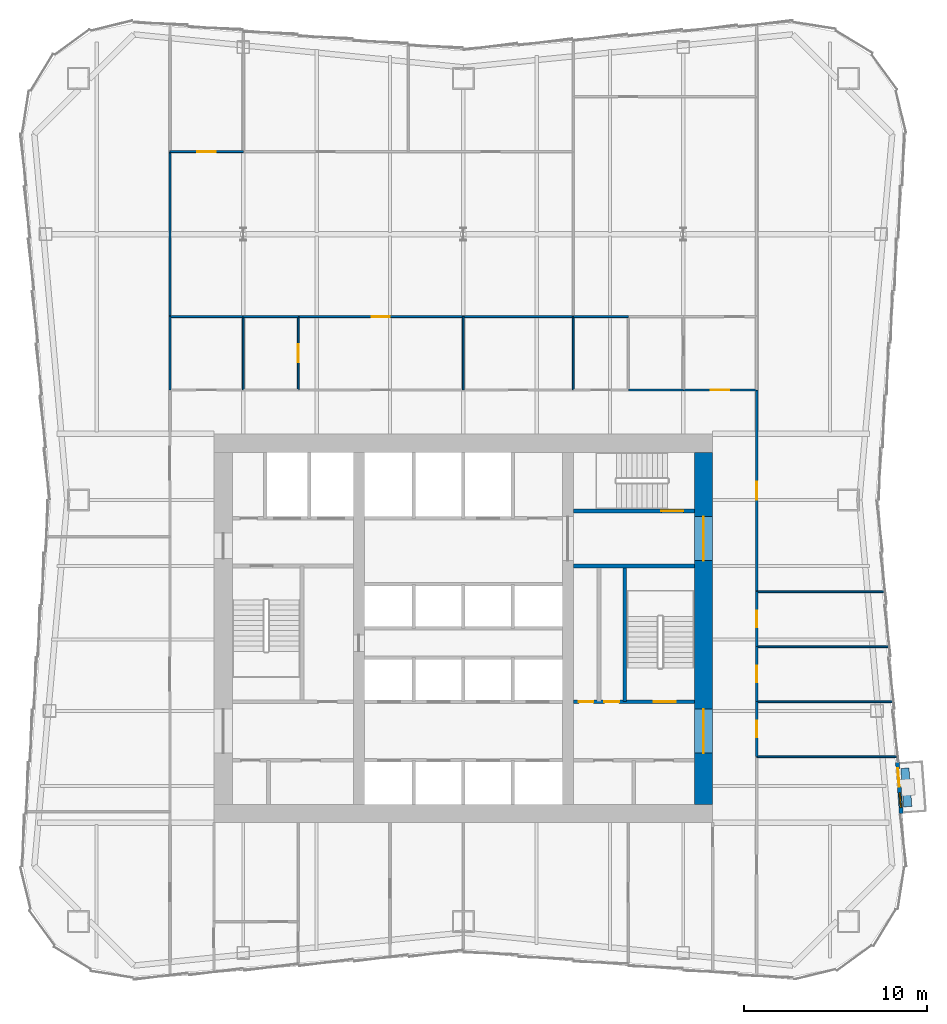
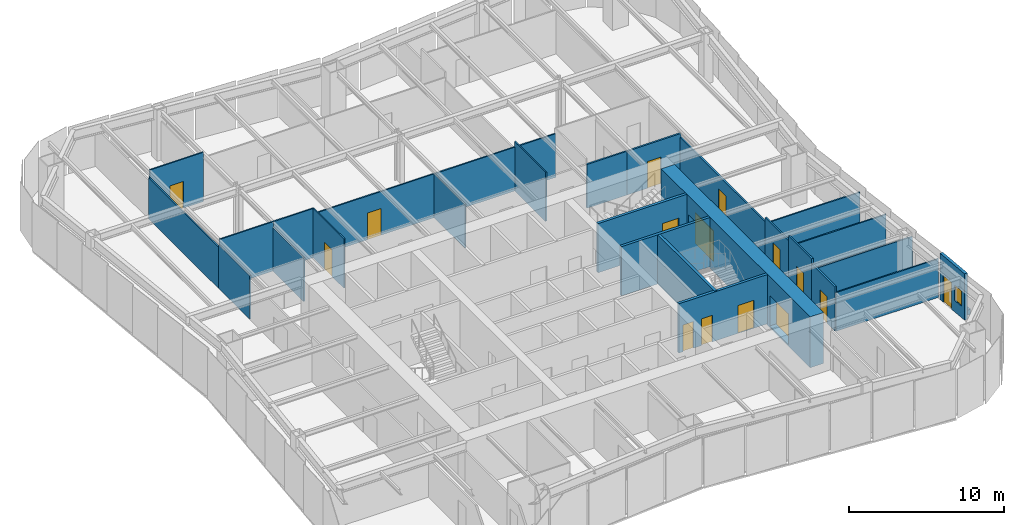
# One storey, part 6 of 9: 29 walls, 15 doors, 1 window, 16 openings.
"""IFC4 building model written with IfcOpenShell, lengths in metres."""

from ifc_helpers import new_model, si_unit, direction, frame, frame_2d, origin, place, context, subcontext, project, spatial, rectangle, extrude, material, layer, layer_set, type_object, element, fill, save


model = new_model("IFC4")

# Units and contexts
model_context = context("Model", 3, precision=1e-05, world=origin(), true_north=direction((0.0, 1.0)))
body_context = subcontext(model_context, "Body", "Model", "MODEL_VIEW")
ifc_project = project(units=[si_unit("LENGTHUNIT", "METRE"), si_unit("AREAUNIT", "SQUARE_METRE"), si_unit("VOLUMEUNIT", "CUBIC_METRE"), si_unit("PLANEANGLEUNIT", "RADIAN"), si_unit("MASSUNIT", "GRAM", prefix="KILO")], contexts=[model_context])

# Site, building, storey
site_placement = place(None, origin())
site = spatial("IfcSite", under=ifc_project, at=site_placement, CompositionType="ELEMENT")
building_placement = place(site_placement, origin())
building = spatial("IfcBuilding", under=site, at=building_placement, Name="Verdant Reach Tower", CompositionType="ELEMENT")
storey_placement = place(building_placement, frame((0.0, 0.0, 142.0)))
storey = spatial("IfcBuildingStorey", under=building, at=storey_placement, Name="L32", CompositionType="ELEMENT", Elevation=142.0)

# Wall, openings, doors
ifc_material_1 = material(Name="Concrete C40/50", Category="concrete")
ifc_layer_1 = layer(ifc_material_1, 0.199951171875)
ifc_layer_set_1 = layer_set([ifc_layer_1], Name="CO-WALL-STAIR")
wall_type_1 = type_object("IfcWallType", Name="CO-WALL-STAIR", PredefinedType="PARTITIONING", material=ifc_layer_set_1)
wall_1_placement = place(storey_placement, frame((6.0, 24.0, 0.0), z_axis=(0.0, 0.0, 1.0), x_axis=(1.0, 0.0, 0.0)))
wall_1 = element("IfcWall", 1, at=wall_1_placement, inside=storey, type_object=wall_type_1, Name="Stair enclosure wall, L32", PredefinedType="PARTITIONING", context=body_context, shape_type="SweptSolid", body=[
    extrude(rectangle(XDim=6.60009765625, YDim=0.199951171875, at=frame_2d((3.300048828125, 0.0))), origin(), (0.0, 0.0, 1.0), 3.8701171875),
])
opening_1_placement = place(wall_1_placement, frame((0.300048828125, 0.0, 0.0)))
opening_1 = element("IfcOpeningElement", 2, at=opening_1_placement, cuts=wall_1, Name="Opening CDN", PredefinedType="OPENING", context=body_context, shape_type="SweptSolid", body=[
    extrude(rectangle(XDim=0.800048828125, YDim=2.10009765625, at=frame_2d((0.39990234375, 1.050048828125))), frame((0.0, 0.10986328125, 0.0), z_axis=(0.0, -1.0, 0.0), x_axis=(1.0, 0.0, 0.0)), (0.0, 0.0, 1.0), 0.219970703125),
])
opening_2_placement = place(wall_1_placement, frame((1.699951171875, 0.0, 0.0)))
opening_2 = element("IfcOpeningElement", 3, at=opening_2_placement, cuts=wall_1, Name="Opening CDN", PredefinedType="OPENING", context=body_context, shape_type="SweptSolid", body=[
    extrude(rectangle(XDim=0.800048828125, YDim=2.10009765625, at=frame_2d((0.39990234375, 1.050048828125))), frame((0.0, 0.10986328125, 0.0), z_axis=(0.0, -1.0, 0.0), x_axis=(1.0, 0.0, 0.0)), (0.0, 0.0, 1.0), 0.219970703125),
])
opening_3_placement = place(wall_1_placement, frame((4.39990234375, 0.0, 0.0)))
opening_3 = element("IfcOpeningElement", 4, at=opening_3_placement, cuts=wall_1, Name="Opening SD", PredefinedType="OPENING", context=body_context, shape_type="SweptSolid", body=[
    extrude(rectangle(XDim=1.199951171875, YDim=2.199951171875, at=frame_2d((0.60009765625, 1.10009765625))), frame((0.0, 0.10986328125, 0.0), z_axis=(0.0, -1.0, 0.0), x_axis=(1.0, 0.0, 0.0)), (0.0, 0.0, 1.0), 0.219970703125),
])
ifc_material_2 = material(Name="Timber", Category="wood")
door_type_1 = type_object("IfcDoorType", Name="CO-DOOR-ROOM-NARROW", OperationType="NOTDEFINED", PredefinedType="DOOR", material=ifc_material_2)
door_1_placement = place(opening_1_placement, origin())
door_1 = element("IfcDoor", 5, at=door_1_placement, inside=storey, type_object=door_type_1, Name="Core room door, L32", OperationType="SINGLE_SWING_RIGHT", OverallHeight=2.10009765625, OverallWidth=0.800048828125, PredefinedType="DOOR", context=body_context, shape_type="SweptSolid", body=[
    extrude(rectangle(XDim=0.800048828125, YDim=2.10009765625, at=frame_2d((0.39990234375, 1.050048828125))), frame((0.0, 0.02490234375, 0.0), z_axis=(0.0, -1.0, 0.0), x_axis=(1.0, 0.0, 0.0)), (0.0, 0.0, 1.0), 0.050048828125),
])
fill(opening_1, door_1)
door_2_placement = place(opening_2_placement, origin())
door_2 = element("IfcDoor", 6, at=door_2_placement, inside=storey, type_object=door_type_1, Name="Core room door, L32", OperationType="SINGLE_SWING_LEFT", OverallHeight=2.10009765625, OverallWidth=0.800048828125, PredefinedType="DOOR", context=body_context, shape_type="SweptSolid", body=[
    extrude(rectangle(XDim=0.800048828125, YDim=2.10009765625, at=frame_2d((0.39990234375, 1.050048828125))), frame((0.0, 0.02490234375, 0.0), z_axis=(0.0, -1.0, 0.0), x_axis=(1.0, 0.0, 0.0)), (0.0, 0.0, 1.0), 0.050048828125),
])
fill(opening_2, door_2)
ifc_material_3 = material(Name="Steel", Category="steel")
door_type_2 = type_object("IfcDoorType", Name="CO-DOOR-STAIR", OperationType="NOTDEFINED", PredefinedType="DOOR", material=ifc_material_3)
door_3_placement = place(opening_3_placement, origin())
door_3 = element("IfcDoor", 7, at=door_3_placement, inside=storey, type_object=door_type_2, Name="Stair door, L32", OperationType="SINGLE_SWING_RIGHT", OverallHeight=2.199951171875, OverallWidth=1.199951171875, PredefinedType="DOOR", context=body_context, shape_type="SweptSolid", body=[
    extrude(rectangle(XDim=1.199951171875, YDim=2.199951171875, at=frame_2d((0.60009765625, 1.10009765625))), frame((0.0, 0.02490234375, 0.0), z_axis=(0.0, -1.0, 0.0), x_axis=(1.0, 0.0, 0.0)), (0.0, 0.0, 1.0), 0.050048828125),
])
fill(opening_3, door_3)

# Wall
wall_2_placement = place(storey_placement, frame((6.0, 31.39990234375, 0.0), z_axis=(0.0, 0.0, 1.0), x_axis=(1.0, 0.0, 0.0)))
element("IfcWall", 8, at=wall_2_placement, inside=storey, type_object=wall_type_1, Name="Stair enclosure wall, L32", PredefinedType="PARTITIONING", context=body_context, shape_type="SweptSolid", body=[
    extrude(rectangle(XDim=6.60009765625, YDim=0.199951171875, at=frame_2d((3.300048828125, 0.0))), origin(), (0.0, 0.0, 1.0), 3.8701171875),
])

# Wall, opening, door
wall_3_placement = place(storey_placement, frame((6.0, 34.39990234375, 0.0), z_axis=(0.0, 0.0, 1.0), x_axis=(1.0, 0.0, 0.0)))
wall_3 = element("IfcWall", 9, at=wall_3_placement, inside=storey, type_object=wall_type_1, Name="Stair enclosure wall, L32", PredefinedType="PARTITIONING", context=body_context, shape_type="SweptSolid", body=[
    extrude(rectangle(XDim=6.60009765625, YDim=0.199951171875, at=frame_2d((3.300048828125, 0.0))), origin(), (0.0, 0.0, 1.0), 3.8701171875),
])
opening_4_placement = place(wall_3_placement, frame((4.800048828125, 0.0, 0.0)))
opening_4 = element("IfcOpeningElement", 10, at=opening_4_placement, cuts=wall_3, Name="Opening SD", PredefinedType="OPENING", context=body_context, shape_type="SweptSolid", body=[
    extrude(rectangle(XDim=1.199951171875, YDim=2.199951171875, at=frame_2d((0.60009765625, 1.10009765625))), frame((0.0, 0.10986328125, 0.0), z_axis=(0.0, -1.0, 0.0), x_axis=(1.0, 0.0, 0.0)), (0.0, 0.0, 1.0), 0.219970703125),
])
door_4_placement = place(opening_4_placement, origin())
door_4 = element("IfcDoor", 11, at=door_4_placement, inside=storey, type_object=door_type_2, Name="Stair door, L32", OperationType="SINGLE_SWING_LEFT", OverallHeight=2.199951171875, OverallWidth=1.199951171875, PredefinedType="DOOR", context=body_context, shape_type="SweptSolid", body=[
    extrude(rectangle(XDim=1.199951171875, YDim=2.199951171875, at=frame_2d((0.60009765625, 1.10009765625))), frame((0.0, 0.02490234375, 0.0), z_axis=(0.0, -1.0, 0.0), x_axis=(1.0, 0.0, 0.0)), (0.0, 0.0, 1.0), 0.050048828125),
])
fill(opening_4, door_4)

# Wall
wall_4_placement = place(storey_placement, frame((8.800048828125, 24.0, 0.0), z_axis=(0.0, 0.0, 1.0), x_axis=(0.0, 1.0, 0.0)))
element("IfcWall", 12, at=wall_4_placement, inside=storey, type_object=wall_type_1, Name="Stair enclosure wall, L32", PredefinedType="PARTITIONING", context=body_context, shape_type="SweptSolid", body=[
    extrude(rectangle(XDim=7.39990234375, YDim=0.199951171875, at=frame_2d((3.699951171875, 0.0))), origin(), (0.0, 0.0, 1.0), 3.8701171875),
])

# Wall, openings, door, window
ifc_material_4 = material(Name="Insulated bronze aluminium panel wall", Category="aluminium")
ifc_layer_2 = layer(ifc_material_4, 0.219970703125)
ifc_layer_set_2 = layer_set([ifc_layer_2], Name="EN-INFILL WALL")
wall_type_2 = type_object("IfcWallType", Name="EN-INFILL WALL", PredefinedType="SOLIDWALL", material=ifc_layer_set_2)
wall_5_placement = place(storey_placement, frame((23.888916015625, 17.89697265625, 0.0), z_axis=(0.0, 0.0, 1.0), x_axis=(-0.07478344779, 0.997199797401, 0.0)))
wall_5 = element("IfcWall", 13, at=wall_5_placement, inside=storey, type_object=wall_type_2, Name="External infill wall, balcony bay 1, L32", PredefinedType="SOLIDWALL", context=body_context, shape_type="SweptSolid", body=[
    extrude(rectangle(XDim=2.801025390625, YDim=0.2119140625, at=frame_2d((1.400390625, 0.0))), origin(), (0.0, 0.0, 1.0), 3.64990234375),
])
opening_5_placement = place(wall_5_placement, frame((1.46728515625, 0.0, 0.0)))
opening_5 = element("IfcOpeningElement", 14, at=opening_5_placement, cuts=wall_5, Name="Opening BD1", PredefinedType="OPENING", context=body_context, shape_type="SweptSolid", body=[
    extrude(rectangle(XDim=1.0, YDim=2.10009765625, at=frame_2d((0.5, 1.050048828125))), frame((0.0, 0.115966796875, 0.0), z_axis=(0.0, -1.0, 0.0), x_axis=(1.0, 0.0, 0.0)), (0.0, 0.0, 1.0), 0.23193359375),
])
opening_6_placement = place(wall_5_placement, frame((0.333740234375, 0.0, 0.89990234375)))
opening_6 = element("IfcOpeningElement", 15, at=opening_6_placement, cuts=wall_5, Name="Opening BW1", PredefinedType="OPENING", context=body_context, shape_type="SweptSolid", body=[
    extrude(rectangle(XDim=0.800048828125, YDim=1.199951171875, at=frame_2d((0.39990234375, 0.60009765625))), frame((0.0, 0.115966796875, 0.0), z_axis=(0.0, -1.0, 0.0), x_axis=(1.0, 0.0, 0.0)), (0.0, 0.0, 1.0), 0.23193359375),
])
ifc_material_5 = material(Name="Aluminium framed glazed door", Category="aluminium")
door_type_3 = type_object("IfcDoorType", Name="EN-DOOR BALCONY", OperationType="NOTDEFINED", PredefinedType="DOOR", material=ifc_material_5)
door_5_placement = place(opening_5_placement, origin())
door_5 = element("IfcDoor", 16, at=door_5_placement, inside=storey, type_object=door_type_3, Name="Balcony door 1, L32", OperationType="SINGLE_SWING_RIGHT", OverallHeight=2.10009765625, OverallWidth=1.0, PredefinedType="DOOR", context=body_context, shape_type="SweptSolid", body=[
    extrude(rectangle(XDim=1.0, YDim=2.10009765625, at=frame_2d((0.5, 1.050048828125))), frame((0.0, 0.02490234375, 0.0), z_axis=(0.0, -1.0, 0.0), x_axis=(1.0, 0.0, 0.0)), (0.0, 0.0, 1.0), 0.050048828125),
])
fill(opening_5, door_5)
ifc_material_6 = material(Name="Aluminium framed glazing", Category="aluminium")
window_type = type_object("IfcWindowType", Name="EN-WINDOW BALCONY", PartitioningType="SINGLE_PANEL", PredefinedType="WINDOW", material=ifc_material_6)
window_placement = place(opening_6_placement, origin())
window = element("IfcWindow", 17, at=window_placement, inside=storey, type_object=window_type, Name="Balcony window 1, L32", OverallHeight=1.199951171875, OverallWidth=0.800048828125, PartitioningType="SINGLE_PANEL", PredefinedType="WINDOW", context=body_context, shape_type="SweptSolid", body=[
    extrude(rectangle(XDim=0.800048828125, YDim=1.199951171875, at=frame_2d((0.39990234375, 0.60009765625))), frame((0.0, 0.030029296875, 0.0), z_axis=(0.0, -1.0, 0.0), x_axis=(1.0, 0.0, 0.0)), (0.0, 0.0, 1.0), 0.06005859375),
])
fill(opening_6, window)

# Walls
ifc_material_7 = material(Name="Precast concrete C30/37", Category="concrete")
ifc_layer_3 = layer(ifc_material_7, 0.449951171875)
ifc_layer_set_3 = layer_set([ifc_layer_3], Name="EN-PLANTER")
wall_type_3 = type_object("IfcWallType", Name="EN-PLANTER", PredefinedType="USERDEFINED", material=ifc_layer_set_3)
wall_6_placement = place(storey_placement, frame((24.24267578125, 18.2744140625, 0.0), z_axis=(0.0, 0.0, 1.0), x_axis=(-0.074706185882, 0.997205588528, 0.0)))
element("IfcWall", 18, at=wall_6_placement, inside=storey, type_object=wall_type_3, Name="Balcony planter 1, L32", ObjectType="PLANTER", PredefinedType="USERDEFINED", context=body_context, shape_type="SweptSolid", body=[
    extrude(rectangle(XDim=2.101318359375, YDim=0.449951171875, at=frame_2d((1.05078125, 0.0))), origin(), (0.0, 0.0, 1.0), 0.39990234375),
])
ifc_material_8 = material(Name="Gypsum board on steel studs", Category="steel")
ifc_layer_4 = layer(ifc_material_8, 0.10009765625)
ifc_layer_set_4 = layer_set([ifc_layer_4], Name="FL-W1 Partition 100")
wall_type_4 = type_object("IfcWallType", Name="FL-W1 Partition 100", PredefinedType="PARTITIONING", material=ifc_layer_set_4)
wall_7_placement = place(storey_placement, frame((-16.0, 41.0, 0.0), z_axis=(0.0, 0.0, 1.0), x_axis=(0.0, 1.0, 0.0)))
element("IfcWall", 19, at=wall_7_placement, inside=storey, type_object=wall_type_4, Name="Partition 32.21", PredefinedType="PARTITIONING", context=body_context, shape_type="SweptSolid", body=[
    extrude(rectangle(XDim=4.0, YDim=0.10009765625, at=frame_2d((2.0, 0.0))), origin(), (0.0, 0.0, 1.0), 3.43994140625),
])
wall_8_placement = place(storey_placement, frame((-16.0, 45.0, 0.0), z_axis=(0.0, 0.0, 1.0), x_axis=(0.0, 1.0, 0.0)))
element("IfcWall", 20, at=wall_8_placement, inside=storey, type_object=wall_type_4, Name="Partition 32.22", PredefinedType="PARTITIONING", context=body_context, shape_type="SweptSolid", body=[
    extrude(rectangle(XDim=9.0, YDim=0.10009765625, at=frame_2d((4.5, 0.0))), origin(), (0.0, 0.0, 1.0), 3.239990234375),
])
wall_9_placement = place(storey_placement, frame((23.6298828125, 21.0, 0.0), z_axis=(0.0, 0.0, 1.0), x_axis=(-1.0, 0.0, 0.0)))
element("IfcWall", 21, at=wall_9_placement, inside=storey, type_object=wall_type_4, Name="Partition 32.24", PredefinedType="PARTITIONING", context=body_context, shape_type="SweptSolid", body=[
    extrude(rectangle(XDim=7.6298828125, YDim=0.10009765625, at=frame_2d((3.81494140625, 0.0))), origin(), (0.0, 0.0, 1.0), 3.0400390625),
])
wall_10_placement = place(storey_placement, frame((23.405029296875, 24.0, 0.0), z_axis=(0.0, 0.0, 1.0), x_axis=(-1.0, 0.0, 0.0)))
element("IfcWall", 22, at=wall_10_placement, inside=storey, type_object=wall_type_4, Name="Partition 32.25", PredefinedType="PARTITIONING", context=body_context, shape_type="SweptSolid", body=[
    extrude(rectangle(XDim=7.405029296875, YDim=0.10009765625, at=frame_2d((3.70263671875, 0.0))), origin(), (0.0, 0.0, 1.0), 3.0400390625),
])
wall_11_placement = place(storey_placement, frame((23.179931640625, 27.0, 0.0), z_axis=(0.0, 0.0, 1.0), x_axis=(-1.0, 0.0, 0.0)))
element("IfcWall", 23, at=wall_11_placement, inside=storey, type_object=wall_type_4, Name="Partition 32.26", PredefinedType="PARTITIONING", context=body_context, shape_type="SweptSolid", body=[
    extrude(rectangle(XDim=7.179931640625, YDim=0.10009765625, at=frame_2d((3.58984375, 0.0))), origin(), (0.0, 0.0, 1.0), 3.0400390625),
])
wall_12_placement = place(storey_placement, frame((22.955078125, 30.0, 0.0), z_axis=(0.0, 0.0, 1.0), x_axis=(-1.0, 0.0, 0.0)))
element("IfcWall", 24, at=wall_12_placement, inside=storey, type_object=wall_type_4, Name="Partition 32.27", PredefinedType="PARTITIONING", context=body_context, shape_type="SweptSolid", body=[
    extrude(rectangle(XDim=6.955078125, YDim=0.10009765625, at=frame_2d((3.4775390625, 0.0))), origin(), (0.0, 0.0, 1.0), 3.0400390625),
])
wall_13_placement = place(storey_placement, frame((-12.0, 41.0, 0.0), z_axis=(0.0, 0.0, 1.0), x_axis=(0.0, 1.0, 0.0)))
element("IfcWall", 25, at=wall_13_placement, inside=storey, type_object=wall_type_4, Name="Partition 32.37", PredefinedType="PARTITIONING", context=body_context, shape_type="SweptSolid", body=[
    extrude(rectangle(XDim=4.0, YDim=0.10009765625, at=frame_2d((2.0, 0.0))), origin(), (0.0, 0.0, 1.0), 3.43994140625),
])
wall_14_placement = place(storey_placement, frame((-11.99609375, 45.0, 0.0), z_axis=(0.0, 0.0, 1.0), x_axis=(-1.0, 0.0, 0.0)))
element("IfcWall", 26, at=wall_14_placement, inside=storey, type_object=wall_type_4, Name="Partition 32.38", PredefinedType="PARTITIONING", context=body_context, shape_type="SweptSolid", body=[
    extrude(rectangle(XDim=4.00390625, YDim=0.10009765625, at=frame_2d((2.001953125, 0.0))), origin(), (0.0, 0.0, 1.0), 3.8701171875),
])

# Wall, opening, door
wall_15_placement = place(storey_placement, frame((-9.0, 41.0, 0.0), z_axis=(0.0, 0.0, 1.0), x_axis=(0.0, 1.0, 0.0)))
wall_15 = element("IfcWall", 27, at=wall_15_placement, inside=storey, type_object=wall_type_4, Name="Partition 32.39", PredefinedType="PARTITIONING", context=body_context, shape_type="SweptSolid", body=[
    extrude(rectangle(XDim=4.0, YDim=0.10009765625, at=frame_2d((2.0, 0.0))), origin(), (0.0, 0.0, 1.0), 3.8701171875),
])
opening_7_placement = place(wall_15_placement, frame((1.5, 0.0, 0.0)))
opening_7 = element("IfcOpeningElement", 28, at=opening_7_placement, cuts=wall_15, Name="Opening D3", PredefinedType="OPENING", context=body_context, shape_type="SweptSolid", body=[
    extrude(rectangle(XDim=1.0, YDim=2.10009765625, at=frame_2d((0.5, 1.050048828125))), frame((0.0, 0.06005859375, 0.0), z_axis=(0.0, -1.0, 0.0), x_axis=(1.0, 0.0, 0.0)), (0.0, 0.0, 1.0), 0.1201171875),
])
ifc_material_9 = material(Name="Painted timber door leaf", Category="wood")
door_type_4 = type_object("IfcDoorType", Name="FL-D3 Door 1000x2100", OperationType="NOTDEFINED", PredefinedType="DOOR", material=ifc_material_9)
door_6_placement = place(opening_7_placement, origin())
door_6 = element("IfcDoor", 29, at=door_6_placement, inside=storey, type_object=door_type_4, Name="Door 32-020", OperationType="SINGLE_SWING_RIGHT", OverallHeight=2.10009765625, OverallWidth=1.0, PredefinedType="DOOR", context=body_context, shape_type="SweptSolid", body=[
    extrude(rectangle(XDim=1.0, YDim=2.10009765625, at=frame_2d((0.5, 1.050048828125))), frame((0.0, 0.02490234375, 0.0), z_axis=(0.0, -1.0, 0.0), x_axis=(1.0, 0.0, 0.0)), (0.0, 0.0, 1.0), 0.050048828125),
])
fill(opening_7, door_6)

# Walls
wall_16_placement = place(storey_placement, frame((-8.99609375, 45.0, 0.0), z_axis=(0.0, 0.0, 1.0), x_axis=(-1.0, 0.0, 0.0)))
element("IfcWall", 30, at=wall_16_placement, inside=storey, type_object=wall_type_4, Name="Partition 32.40", PredefinedType="PARTITIONING", context=body_context, shape_type="SweptSolid", body=[
    extrude(rectangle(XDim=3.0078125, YDim=0.10009765625, at=frame_2d((1.50390625, 0.0))), origin(), (0.0, 0.0, 1.0), 3.8701171875),
])
wall_17_placement = place(storey_placement, frame((0.0, 41.0, 0.0), z_axis=(0.0, 0.0, 1.0), x_axis=(0.0, 1.0, 0.0)))
element("IfcWall", 31, at=wall_17_placement, inside=storey, type_object=wall_type_4, Name="Partition 32.41", PredefinedType="PARTITIONING", context=body_context, shape_type="SweptSolid", body=[
    extrude(rectangle(XDim=4.0, YDim=0.10009765625, at=frame_2d((2.0, 0.0))), origin(), (0.0, 0.0, 1.0), 3.43994140625),
])

# Wall, opening, door
wall_18_placement = place(storey_placement, frame((-9.00390625, 45.0, 0.0), z_axis=(0.0, 0.0, 1.0), x_axis=(1.0, 0.0, 0.0)))
wall_18 = element("IfcWall", 32, at=wall_18_placement, inside=storey, type_object=wall_type_4, Name="Partition 32.42", PredefinedType="PARTITIONING", context=body_context, shape_type="SweptSolid", body=[
    extrude(rectangle(XDim=9.0078125, YDim=0.10009765625, at=frame_2d((4.50390625, 0.0))), origin(), (0.0, 0.0, 1.0), 3.43994140625),
])
opening_8_placement = place(wall_18_placement, frame((4.00390625, 0.0, 0.0)))
opening_8 = element("IfcOpeningElement", 33, at=opening_8_placement, cuts=wall_18, Name="Opening D3", PredefinedType="OPENING", context=body_context, shape_type="SweptSolid", body=[
    extrude(rectangle(XDim=1.0, YDim=2.10009765625, at=frame_2d((0.5, 1.050048828125))), frame((0.0, 0.06005859375, 0.0), z_axis=(0.0, -1.0, 0.0), x_axis=(1.0, 0.0, 0.0)), (0.0, 0.0, 1.0), 0.1201171875),
])
door_7_placement = place(opening_8_placement, origin())
door_7 = element("IfcDoor", 34, at=door_7_placement, inside=storey, type_object=door_type_4, Name="Door 32-021", OperationType="SINGLE_SWING_LEFT", OverallHeight=2.10009765625, OverallWidth=1.0, PredefinedType="DOOR", context=body_context, shape_type="SweptSolid", body=[
    extrude(rectangle(XDim=1.0, YDim=2.10009765625, at=frame_2d((0.5, 1.050048828125))), frame((0.0, 0.02490234375, 0.0), z_axis=(0.0, -1.0, 0.0), x_axis=(1.0, 0.0, 0.0)), (0.0, 0.0, 1.0), 0.050048828125),
])
fill(opening_8, door_7)

# Walls
wall_19_placement = place(storey_placement, frame((6.0, 45.0, 0.0), z_axis=(0.0, 0.0, 1.0), x_axis=(-1.0, 0.0, 0.0)))
element("IfcWall", 35, at=wall_19_placement, inside=storey, type_object=wall_type_4, Name="Partition 32.43", PredefinedType="PARTITIONING", context=body_context, shape_type="SweptSolid", body=[
    extrude(rectangle(XDim=6.00390625, YDim=0.10009765625, at=frame_2d((3.001953125, 0.0))), origin(), (0.0, 0.0, 1.0), 3.43994140625),
])
wall_20_placement = place(storey_placement, frame((6.0, 41.0, 0.0), z_axis=(0.0, 0.0, 1.0), x_axis=(0.0, 1.0, 0.0)))
element("IfcWall", 36, at=wall_20_placement, inside=storey, type_object=wall_type_4, Name="Partition 32.44", PredefinedType="PARTITIONING", context=body_context, shape_type="SweptSolid", body=[
    extrude(rectangle(XDim=4.0, YDim=0.10009765625, at=frame_2d((2.0, 0.0))), origin(), (0.0, 0.0, 1.0), 3.8701171875),
])

# Wall, opening, door
wall_21_placement = place(storey_placement, frame((-16.0, 54.0, 0.0), z_axis=(0.0, 0.0, 1.0), x_axis=(1.0, 0.0, 0.0)))
wall_21 = element("IfcWall", 37, at=wall_21_placement, inside=storey, type_object=wall_type_4, Name="Partition 32.45", PredefinedType="PARTITIONING", context=body_context, shape_type="SweptSolid", body=[
    extrude(rectangle(XDim=4.0, YDim=0.10009765625, at=frame_2d((2.0, 0.0))), origin(), (0.0, 0.0, 1.0), 3.8701171875),
])
opening_9_placement = place(wall_21_placement, frame((1.5, 0.0, 0.0)))
opening_9 = element("IfcOpeningElement", 38, at=opening_9_placement, cuts=wall_21, Name="Opening D3", PredefinedType="OPENING", context=body_context, shape_type="SweptSolid", body=[
    extrude(rectangle(XDim=1.0, YDim=2.10009765625, at=frame_2d((0.5, 1.050048828125))), frame((0.0, 0.06005859375, 0.0), z_axis=(0.0, -1.0, 0.0), x_axis=(1.0, 0.0, 0.0)), (0.0, 0.0, 1.0), 0.1201171875),
])
door_8_placement = place(opening_9_placement, origin())
door_8 = element("IfcDoor", 39, at=door_8_placement, inside=storey, type_object=door_type_4, Name="Door 32-022", OperationType="SINGLE_SWING_RIGHT", OverallHeight=2.10009765625, OverallWidth=1.0, PredefinedType="DOOR", context=body_context, shape_type="SweptSolid", body=[
    extrude(rectangle(XDim=1.0, YDim=2.10009765625, at=frame_2d((0.5, 1.050048828125))), frame((0.0, 0.02490234375, 0.0), z_axis=(0.0, -1.0, 0.0), x_axis=(1.0, 0.0, 0.0)), (0.0, 0.0, 1.0), 0.050048828125),
])
fill(opening_9, door_8)

# Wall
wall_22_placement = place(storey_placement, frame((9.00390625, 45.0, 0.0), z_axis=(0.0, 0.0, 1.0), x_axis=(-1.0, 0.0, 0.0)))
element("IfcWall", 40, at=wall_22_placement, inside=storey, type_object=wall_type_4, Name="Partition 32.54", PredefinedType="PARTITIONING", context=body_context, shape_type="SweptSolid", body=[
    extrude(rectangle(XDim=3.00390625, YDim=0.10009765625, at=frame_2d((1.501953125, 0.0))), origin(), (0.0, 0.0, 1.0), 3.43994140625),
])

# Wall, opening, door
ifc_material_10 = material(Name="Gypsum board on steel studs, fire rated", Category="steel")
ifc_layer_5 = layer(ifc_material_10, 0.125)
ifc_layer_set_5 = layer_set([ifc_layer_5], Name="FL-W2 Corridor wall 125")
wall_type_5 = type_object("IfcWallType", Name="FL-W2 Corridor wall 125", PredefinedType="PARTITIONING", material=ifc_layer_set_5)
wall_23_placement = place(storey_placement, frame((16.0, 24.0, 0.0), z_axis=(0.0, 0.0, 1.0), x_axis=(0.0, -1.0, 0.0)))
wall_23 = element("IfcWall", 41, at=wall_23_placement, inside=storey, type_object=wall_type_5, Name="Partition 32.05", PredefinedType="PARTITIONING", context=body_context, shape_type="SweptSolid", body=[
    extrude(rectangle(XDim=3.0, YDim=0.125, at=frame_2d((1.5, 0.0))), origin(), (0.0, 0.0, 1.0), 3.47998046875),
])
opening_10_placement = place(wall_23_placement, frame((1.050048828125, 0.0, 0.0)))
opening_10 = element("IfcOpeningElement", 42, at=opening_10_placement, cuts=wall_23, Name="Opening D1", PredefinedType="OPENING", context=body_context, shape_type="SweptSolid", body=[
    extrude(rectangle(XDim=0.89990234375, YDim=2.10009765625, at=frame_2d((0.449951171875, 1.050048828125))), frame((0.0, 0.072509765625, 0.0), z_axis=(0.0, -1.0, 0.0), x_axis=(1.0, 0.0, 0.0)), (0.0, 0.0, 1.0), 0.14501953125),
])
door_type_5 = type_object("IfcDoorType", Name="FL-D1 Door 900x2100", OperationType="NOTDEFINED", PredefinedType="DOOR", material=ifc_material_9)
door_9_placement = place(opening_10_placement, origin())
door_9 = element("IfcDoor", 43, at=door_9_placement, inside=storey, type_object=door_type_5, Name="Door 32-005", OperationType="SINGLE_SWING_LEFT", OverallHeight=2.10009765625, OverallWidth=0.89990234375, PredefinedType="DOOR", context=body_context, shape_type="SweptSolid", body=[
    extrude(rectangle(XDim=0.89990234375, YDim=2.10009765625, at=frame_2d((0.449951171875, 1.050048828125))), frame((0.0, 0.02490234375, 0.0), z_axis=(0.0, -1.0, 0.0), x_axis=(1.0, 0.0, 0.0)), (0.0, 0.0, 1.0), 0.050048828125),
])
fill(opening_10, door_9)

wall_24_placement = place(storey_placement, frame((16.0, 27.0, 0.0), z_axis=(0.0, 0.0, 1.0), x_axis=(0.0, -1.0, 0.0)))
wall_24 = element("IfcWall", 44, at=wall_24_placement, inside=storey, type_object=wall_type_5, Name="Partition 32.06", PredefinedType="PARTITIONING", context=body_context, shape_type="SweptSolid", body=[
    extrude(rectangle(XDim=3.0, YDim=0.125, at=frame_2d((1.5, 0.0))), origin(), (0.0, 0.0, 1.0), 3.8701171875),
])
opening_11_placement = place(wall_24_placement, frame((1.050048828125, 0.0, 0.0)))
opening_11 = element("IfcOpeningElement", 45, at=opening_11_placement, cuts=wall_24, Name="Opening D1", PredefinedType="OPENING", context=body_context, shape_type="SweptSolid", body=[
    extrude(rectangle(XDim=0.89990234375, YDim=2.10009765625, at=frame_2d((0.449951171875, 1.050048828125))), frame((0.0, 0.072509765625, 0.0), z_axis=(0.0, -1.0, 0.0), x_axis=(1.0, 0.0, 0.0)), (0.0, 0.0, 1.0), 0.14501953125),
])
door_10_placement = place(opening_11_placement, origin())
door_10 = element("IfcDoor", 46, at=door_10_placement, inside=storey, type_object=door_type_5, Name="Door 32-006", OperationType="SINGLE_SWING_RIGHT", OverallHeight=2.10009765625, OverallWidth=0.89990234375, PredefinedType="DOOR", context=body_context, shape_type="SweptSolid", body=[
    extrude(rectangle(XDim=0.89990234375, YDim=2.10009765625, at=frame_2d((0.449951171875, 1.050048828125))), frame((0.0, 0.02490234375, 0.0), z_axis=(0.0, -1.0, 0.0), x_axis=(1.0, 0.0, 0.0)), (0.0, 0.0, 1.0), 0.050048828125),
])
fill(opening_11, door_10)

wall_25_placement = place(storey_placement, frame((16.0, 30.0, 0.0), z_axis=(0.0, 0.0, 1.0), x_axis=(0.0, -1.0, 0.0)))
wall_25 = element("IfcWall", 47, at=wall_25_placement, inside=storey, type_object=wall_type_5, Name="Partition 32.07", PredefinedType="PARTITIONING", context=body_context, shape_type="SweptSolid", body=[
    extrude(rectangle(XDim=3.0, YDim=0.125, at=frame_2d((1.5, 0.0))), origin(), (0.0, 0.0, 1.0), 3.47998046875),
])
opening_12_placement = place(wall_25_placement, frame((1.050048828125, 0.0, 0.0)))
opening_12 = element("IfcOpeningElement", 48, at=opening_12_placement, cuts=wall_25, Name="Opening D1", PredefinedType="OPENING", context=body_context, shape_type="SweptSolid", body=[
    extrude(rectangle(XDim=0.89990234375, YDim=2.10009765625, at=frame_2d((0.449951171875, 1.050048828125))), frame((0.0, 0.072509765625, 0.0), z_axis=(0.0, -1.0, 0.0), x_axis=(1.0, 0.0, 0.0)), (0.0, 0.0, 1.0), 0.14501953125),
])
door_11_placement = place(opening_12_placement, origin())
door_11 = element("IfcDoor", 49, at=door_11_placement, inside=storey, type_object=door_type_5, Name="Door 32-007", OperationType="SINGLE_SWING_LEFT", OverallHeight=2.10009765625, OverallWidth=0.89990234375, PredefinedType="DOOR", context=body_context, shape_type="SweptSolid", body=[
    extrude(rectangle(XDim=0.89990234375, YDim=2.10009765625, at=frame_2d((0.449951171875, 1.050048828125))), frame((0.0, 0.02490234375, 0.0), z_axis=(0.0, -1.0, 0.0), x_axis=(1.0, 0.0, 0.0)), (0.0, 0.0, 1.0), 0.050048828125),
])
fill(opening_12, door_11)

wall_26_placement = place(storey_placement, frame((16.0, 41.00390625, 0.0), z_axis=(0.0, 0.0, 1.0), x_axis=(0.0, -1.0, 0.0)))
wall_26 = element("IfcWall", 50, at=wall_26_placement, inside=storey, type_object=wall_type_5, Name="Partition 32.08", PredefinedType="PARTITIONING", context=body_context, shape_type="SweptSolid", body=[
    extrude(rectangle(XDim=11.00390625, YDim=0.125, at=frame_2d((5.501953125, 0.0))), origin(), (0.0, 0.0, 1.0), 3.139892578125),
])
opening_13_placement = place(wall_26_placement, frame((5.001953125, 0.0, 0.0)))
opening_13 = element("IfcOpeningElement", 51, at=opening_13_placement, cuts=wall_26, Name="Opening D2", PredefinedType="OPENING", context=body_context, shape_type="SweptSolid", body=[
    extrude(rectangle(XDim=1.0, YDim=2.10009765625, at=frame_2d((0.5, 1.050048828125))), frame((0.0, 0.072509765625, 0.0), z_axis=(0.0, -1.0, 0.0), x_axis=(1.0, 0.0, 0.0)), (0.0, 0.0, 1.0), 0.14501953125),
])
ifc_material_11 = material(Name="Timber door leaf, fire rated", Category="wood")
door_type_6 = type_object("IfcDoorType", Name="FL-D2 Entrance door 1000x2100 FD30", OperationType="NOTDEFINED", PredefinedType="DOOR", material=ifc_material_11)
door_12_placement = place(opening_13_placement, origin())
door_12 = element("IfcDoor", 52, at=door_12_placement, inside=storey, type_object=door_type_6, Name="Door 32-008", OperationType="SINGLE_SWING_RIGHT", OverallHeight=2.10009765625, OverallWidth=1.0, PredefinedType="DOOR", context=body_context, shape_type="SweptSolid", body=[
    extrude(rectangle(XDim=1.0, YDim=2.10009765625, at=frame_2d((0.5, 1.050048828125))), frame((0.0, 0.02490234375, 0.0), z_axis=(0.0, -1.0, 0.0), x_axis=(1.0, 0.0, 0.0)), (0.0, 0.0, 1.0), 0.050048828125),
])
fill(opening_13, door_12)

# Wall
wall_27_placement = place(storey_placement, frame((12.0, 41.0, 0.0), z_axis=(0.0, 0.0, 1.0), x_axis=(-1.0, 0.0, 0.0)))
element("IfcWall", 53, at=wall_27_placement, inside=storey, type_object=wall_type_5, Name="Partition 32.17", PredefinedType="PARTITIONING", context=body_context, shape_type="SweptSolid", body=[
    extrude(rectangle(XDim=3.0, YDim=0.125, at=frame_2d((1.5, 0.0))), origin(), (0.0, 0.0, 1.0), 3.43994140625),
])

# Wall, opening, door
wall_28_placement = place(storey_placement, frame((12.0, 41.0, 0.0), z_axis=(0.0, 0.0, 1.0), x_axis=(1.0, 0.0, 0.0)))
wall_28 = element("IfcWall", 54, at=wall_28_placement, inside=storey, type_object=wall_type_5, Name="Partition 32.18", PredefinedType="PARTITIONING", context=body_context, shape_type="SweptSolid", body=[
    extrude(rectangle(XDim=4.0, YDim=0.125, at=frame_2d((2.0, 0.0))), origin(), (0.0, 0.0, 1.0), 3.43994140625),
])
opening_14_placement = place(wall_28_placement, frame((1.5, 0.0, 0.0)))
opening_14 = element("IfcOpeningElement", 55, at=opening_14_placement, cuts=wall_28, Name="Opening D2", PredefinedType="OPENING", context=body_context, shape_type="SweptSolid", body=[
    extrude(rectangle(XDim=1.0, YDim=2.10009765625, at=frame_2d((0.5, 1.050048828125))), frame((0.0, 0.072509765625, 0.0), z_axis=(0.0, -1.0, 0.0), x_axis=(1.0, 0.0, 0.0)), (0.0, 0.0, 1.0), 0.14501953125),
])
door_13_placement = place(opening_14_placement, origin())
door_13 = element("IfcDoor", 56, at=door_13_placement, inside=storey, type_object=door_type_6, Name="Door 32-015", OperationType="SINGLE_SWING_LEFT", OverallHeight=2.10009765625, OverallWidth=1.0, PredefinedType="DOOR", context=body_context, shape_type="SweptSolid", body=[
    extrude(rectangle(XDim=1.0, YDim=2.10009765625, at=frame_2d((0.5, 1.050048828125))), frame((0.0, 0.02490234375, 0.0), z_axis=(0.0, -1.0, 0.0), x_axis=(1.0, 0.0, 0.0)), (0.0, 0.0, 1.0), 0.050048828125),
])
fill(opening_14, door_13)

# Wall, openings, doors
ifc_material_12 = material(Name="Concrete C70/85", Category="concrete")
ifc_layer_6 = layer(ifc_material_12, 1.0)
ifc_layer_set_6 = layer_set([ifc_layer_6], Name="ST-CORE-WALL-1000")
wall_type_6 = type_object("IfcWallType", Name="ST-CORE-WALL-1000", PredefinedType="SHEAR", material=ifc_layer_set_6)
wall_29_placement = place(storey_placement, frame((13.10009765625, 18.39990234375, -0.1298828125), z_axis=(0.0, 0.0, 1.0), x_axis=(0.0, 1.0, 0.0)))
wall_29 = element("IfcWall", 57, at=wall_29_placement, inside=storey, type_object=wall_type_6, Name="Core wall E, L32", PredefinedType="SHEAR", context=body_context, shape_type="SweptSolid", body=[
    extrude(rectangle(XDim=19.2001953125, YDim=1.0, at=frame_2d((9.60009765625, 0.0))), origin(), (0.0, 0.0, 1.0), 4.0),
])
opening_15_placement = place(wall_29_placement, frame((2.800048828125, 0.0, 0.1298828125)))
opening_15 = element("IfcOpeningElement", 58, at=opening_15_placement, cuts=wall_29, Name="Opening LB", PredefinedType="OPENING", context=body_context, shape_type="SweptSolid", body=[
    extrude(rectangle(XDim=2.39990234375, YDim=2.39990234375, at=frame_2d((1.199951171875, 1.199951171875))), frame((0.0, 0.510009765625, 0.0), z_axis=(0.0, -1.0, 0.0), x_axis=(1.0, 0.0, 0.0)), (0.0, 0.0, 1.0), 1.02001953125),
])
opening_16_placement = place(wall_29_placement, frame((13.300048828125, 0.0, 0.1298828125)))
opening_16 = element("IfcOpeningElement", 59, at=opening_16_placement, cuts=wall_29, Name="Opening LB", PredefinedType="OPENING", context=body_context, shape_type="SweptSolid", body=[
    extrude(rectangle(XDim=2.39990234375, YDim=2.39990234375, at=frame_2d((1.199951171875, 1.199951171875))), frame((0.0, 0.510009765625, 0.0), z_axis=(0.0, -1.0, 0.0), x_axis=(1.0, 0.0, 0.0)), (0.0, 0.0, 1.0), 1.02001953125),
])
ifc_material_13 = material(Name="Glass and steel", Category="steel")
door_type_7 = type_object("IfcDoorType", Name="CO-DOOR-LOBBY", OperationType="DOUBLE_DOOR_SINGLE_SWING", PredefinedType="DOOR", material=ifc_material_13)
door_14_placement = place(opening_15_placement, origin())
door_14 = element("IfcDoor", 60, at=door_14_placement, inside=storey, type_object=door_type_7, Name="Core entrance door, L32", OperationType="DOUBLE_DOOR_SINGLE_SWING", OverallHeight=2.39990234375, OverallWidth=2.39990234375, PredefinedType="DOOR", context=body_context, shape_type="SweptSolid", body=[
    extrude(rectangle(XDim=2.39990234375, YDim=2.39990234375, at=frame_2d((1.199951171875, 1.199951171875))), frame((0.0, 0.02490234375, 0.0), z_axis=(0.0, -1.0, 0.0), x_axis=(1.0, 0.0, 0.0)), (0.0, 0.0, 1.0), 0.050048828125),
])
fill(opening_15, door_14)
door_15_placement = place(opening_16_placement, origin())
door_15 = element("IfcDoor", 61, at=door_15_placement, inside=storey, type_object=door_type_7, Name="Core entrance door, L32", OperationType="DOUBLE_DOOR_SINGLE_SWING", OverallHeight=2.39990234375, OverallWidth=2.39990234375, PredefinedType="DOOR", context=body_context, shape_type="SweptSolid", body=[
    extrude(rectangle(XDim=2.39990234375, YDim=2.39990234375, at=frame_2d((1.199951171875, 1.199951171875))), frame((0.0, 0.02490234375, 0.0), z_axis=(0.0, -1.0, 0.0), x_axis=(1.0, 0.0, 0.0)), (0.0, 0.0, 1.0), 0.050048828125),
])
fill(opening_16, door_15)

save(model, "model.ifc")
